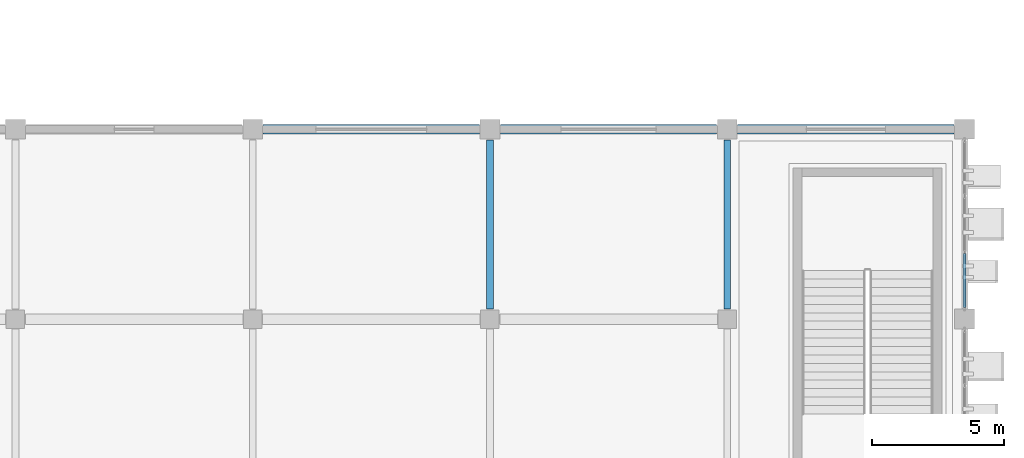
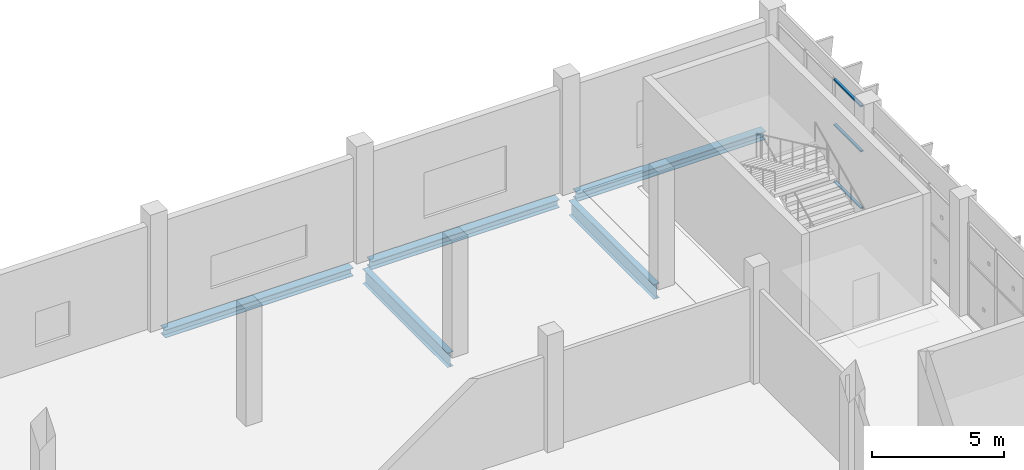
# One storey, part 66 of 189: 5 beams, 3 members, 1 element without a shape of its own.
"""IFC4 building model written with IfcOpenShell, lengths in metres."""

import ifcopenshell
import ifcopenshell.guid

model = None  # the IFC model being written
_history = None  # IfcOwnerHistory: only IFC2X3 demands one
_inside = {}  # id of a spatial element -> (the spatial element, [elements in it])
_under = {}  # id of a project, library or spatial element -> (it, [spatial elements below it])
_declared = {}  # id of a project -> (the project, [libraries it declares])
_typed = {}  # id of a type object -> (the type object, [elements of that type])
_made_of = {}  # id of a material, layer set ... -> (it, [elements and type objects made of it])


def new_model(schema):
    """Start an empty IFC model of exactly this schema.

    Asked for "IFC4X3", IfcOpenShell would pick the latest addendum, in which some entities
    have other attributes; the version numbers below select the first issue.
    IFC2X3 requires an IfcOwnerHistory on every rooted entity: one is made here for all.
    """
    global model, _history
    if schema == "IFC4X3":
        model = ifcopenshell.file(schema_version=(4, 3, 0, 0))
    else:
        model = ifcopenshell.file(schema=schema)
    _inside.clear()
    _under.clear()
    _declared.clear()
    _typed.clear()
    _made_of.clear()
    _history = None
    if model.schema == "IFC2X3":
        org = make("IfcOrganization", Name="unknown")
        user = make(
            "IfcPersonAndOrganization",
            ThePerson=make("IfcPerson", FamilyName="unknown"),
            TheOrganization=org,
        )
        app = make(
            "IfcApplication",
            ApplicationDeveloper=org,
            Version="unknown",
            ApplicationFullName="unknown",
            ApplicationIdentifier="unknown",
        )
        _history = make(
            "IfcOwnerHistory",
            OwningUser=user,
            OwningApplication=app,
            ChangeAction="ADDED",
            CreationDate=0,
        )
    return model


def make(cls, **values):
    """One entity of the class cls with the attributes given. An attribute that is None is left unset."""
    return model.create_entity(
        cls, **{name: value for name, value in values.items() if value is not None}
    )


def rooted(cls, **values):
    """An entity with a GlobalId (a new one), such as an element, a storey or a relation."""
    return make(cls, GlobalId=ifcopenshell.guid.new(), OwnerHistory=_history, **values)


def si_unit(unit_type, name, prefix=None):
    """IfcSIUnit, for example si_unit("LENGTHUNIT", "METRE", prefix="MILLI")."""
    return make("IfcSIUnit", UnitType=unit_type, Prefix=prefix, Name=name)


def assignment(units):
    """IfcUnitAssignment: the units of a project."""
    return None if units is None else make("IfcUnitAssignment", Units=units)


def point(xyz):
    """IfcCartesianPoint."""
    return None if xyz is None else make("IfcCartesianPoint", Coordinates=xyz)


def direction(xyz):
    """IfcDirection."""
    return None if xyz is None else make("IfcDirection", DirectionRatios=xyz)


def frame(location, z_axis=None, x_axis=None):
    """IfcAxis2Placement3D, a coordinate frame: its origin and axes. An axis left out is left unset."""
    return make(
        "IfcAxis2Placement3D",
        Location=point(location),
        Axis=direction(z_axis),
        RefDirection=direction(x_axis),
    )


def frame_2d(location, x_axis=None):
    """IfcAxis2Placement2D, a coordinate frame in the plane: its origin and x axis."""
    return make(
        "IfcAxis2Placement2D", Location=point(location), RefDirection=direction(x_axis)
    )


def origin():
    """The frame at (0, 0, 0) with its axes left unset."""
    return frame((0.0, 0.0, 0.0))


def origin_2d():
    """The frame at (0, 0) in the plane with its x axis left unset."""
    return frame_2d((0.0, 0.0))


def place(relative_to, where):
    """IfcLocalPlacement: puts the frame where relative to a parent placement (None: the world)."""
    return make(
        "IfcLocalPlacement", PlacementRelTo=relative_to, RelativePlacement=where
    )


def context(
    kind, dimensions, precision=None, world=None, true_north=None, identifier=None
):
    """IfcGeometricRepresentationContext, for example the 3D "Model" context."""
    return make(
        "IfcGeometricRepresentationContext",
        ContextIdentifier=identifier,
        ContextType=kind,
        CoordinateSpaceDimension=dimensions,
        Precision=precision,
        WorldCoordinateSystem=world,
        TrueNorth=true_north,
    )


def subcontext(parent, identifier, kind, view, scale=None):
    """IfcGeometricRepresentationSubContext, for example "Body" below "Model"."""
    return make(
        "IfcGeometricRepresentationSubContext",
        ContextIdentifier=identifier,
        ContextType=kind,
        ParentContext=parent,
        TargetScale=scale,
        TargetView=view,
    )


def project(units=None, contexts=None):
    """IfcProject with its units and contexts."""
    return rooted(
        "IfcProject",
        Name="project",
        RepresentationContexts=contexts,
        UnitsInContext=assignment(units),
    )


def spatial(cls, under=None, at=None, **own):
    """A site, building, storey or space (cls), placed at a placement, below another one or the project."""
    s = rooted(cls, ObjectPlacement=at, **own)
    if under is not None:
        _under.setdefault(under.id(), (under, []))[1].append(s)
    return s


def profile(cls, at=None, kind="AREA", **sizes):
    """A parametric profile (cls). Its sizes go by their IFC names, for example OverallWidth=200.0."""
    return make(cls, ProfileType=kind, Position=at, **sizes)


def hollow_rectangle(**sizes):
    """IfcRectangleHollowProfileDef."""
    return profile("IfcRectangleHollowProfileDef", **sizes)


def i_section(**sizes):
    """IfcIShapeProfileDef."""
    return profile("IfcIShapeProfileDef", **sizes)


def extrude(swept, where, along, depth):
    """IfcExtrudedAreaSolid: the profile swept, set in the frame where, extruded along a direction by depth."""
    return make(
        "IfcExtrudedAreaSolid",
        SweptArea=swept,
        Position=where,
        ExtrudedDirection=direction(along),
        Depth=depth,
    )


def shape(context_of_items, identifier, shape_type, items):
    """IfcShapeRepresentation: the items that make up one representation, for example the "Body"."""
    return make(
        "IfcShapeRepresentation",
        ContextOfItems=context_of_items,
        RepresentationIdentifier=identifier,
        RepresentationType=shape_type,
        Items=items,
    )


def material(Name=None, Category=None):
    """IfcMaterial."""
    return make("IfcMaterial", Name=Name, Category=Category)


def layer(
    of_material, thickness, ventilated=None, Name=None, Category=None, Priority=None
):
    """IfcMaterialLayer: one layer of a wall or slab, of a material (None: an air gap)."""
    return make(
        "IfcMaterialLayer",
        Material=of_material,
        LayerThickness=thickness,
        IsVentilated=ventilated,
        Name=Name,
        Category=Category,
        Priority=Priority,
    )


def layer_set(layers, Name=None):
    """IfcMaterialLayerSet."""
    return make("IfcMaterialLayerSet", MaterialLayers=layers, LayerSetName=Name)


def material_profile(
    of_material, cross_section, Name=None, Category=None, Priority=None
):
    """IfcMaterialProfile: a cross section and its material."""
    return make(
        "IfcMaterialProfile",
        Name=Name,
        Material=of_material,
        Profile=cross_section,
        Priority=Priority,
        Category=Category,
    )


def profile_set(profiles, Name=None, composite=None):
    """IfcMaterialProfileSet."""
    return make(
        "IfcMaterialProfileSet",
        Name=Name,
        MaterialProfiles=profiles,
        CompositeProfile=composite,
    )


def made_of(thing, what):
    """Note that an element or type object is made of a material, layer set ...; save() writes the relation."""
    if what is not None:
        _made_of.setdefault(what.id(), (what, []))[1].append(thing)
    return thing


def type_object(cls, material=None, **own):
    """A type object (cls), such as IfcWallType, which elements share."""
    return made_of(rooted(cls, **own), material)


def element(
    cls,
    number,
    at=None,
    inside=None,
    cuts=None,
    type_object=None,
    material=None,
    context=None,
    identifier="Body",
    shape_type=None,
    held_by="IfcProductDefinitionShape",
    body=None,
    shapes=None,
    **own,
):
    """One element of the class cls, such as IfcWall. Its Tag is "e" and its number.

    at: its placement. inside: the storey or other place that contains it. cuts: it is an
    opening in that element (IfcRelVoidsElement). A single representation is given by context,
    identifier, shape_type and body (its items); several are given by shapes. held_by: the class
    of the entity that holds the representations. save() writes the other relations.
    """
    e = rooted(cls, Tag="e%d" % number, ObjectPlacement=at, **own)
    if body is not None:
        shapes = [shape(context, identifier, shape_type, body)]
    if shapes is not None:
        e.Representation = make(held_by, Representations=shapes)
    if inside is not None:
        _inside.setdefault(inside.id(), (inside, []))[1].append(e)
    if cuts is not None:
        rooted(
            "IfcRelVoidsElement", RelatingBuildingElement=cuts, RelatedOpeningElement=e
        )
    if type_object is not None:
        _typed.setdefault(type_object.id(), (type_object, []))[1].append(e)
    return made_of(e, material)


def aggregate(whole, parts):
    """IfcRelAggregates: a whole, such as a stair, and the parts it consists of."""
    return rooted("IfcRelAggregates", RelatingObject=whole, RelatedObjects=parts)


def save(model, path):
    """Write the relations noted so far, then the file.

    IfcRelAggregates (storeys below a building ...), IfcRelContainedInSpatialStructure (elements
    in a storey), IfcRelDefinesByType, IfcRelAssociatesMaterial and IfcRelDeclares: one each for
    every whole, place, type object, material and project.
    """
    for whole, parts in _under.values():
        aggregate(whole, parts)
    for where, things in _inside.values():
        rooted(
            "IfcRelContainedInSpatialStructure",
            RelatedElements=things,
            RelatingStructure=where,
        )
    for kind, things in _typed.values():
        rooted("IfcRelDefinesByType", RelatedObjects=things, RelatingType=kind)
    for what, things in _made_of.values():
        rooted("IfcRelAssociatesMaterial", RelatedObjects=things, RelatingMaterial=what)
    for by, libraries in _declared.values():
        rooted("IfcRelDeclares", RelatingContext=by, RelatedDefinitions=libraries)
    model.write(path)


model = new_model("IFC4")

# Units and contexts
model_context = context("Model", 3, precision=1e-05, world=origin(), true_north=direction((0.0, 1.0)))
body_context = subcontext(model_context, "Body", "Model", "MODEL_VIEW")
ifc_project = project(units=[si_unit("LENGTHUNIT", "METRE"), si_unit("AREAUNIT", "SQUARE_METRE"), si_unit("VOLUMEUNIT", "CUBIC_METRE"), si_unit("PLANEANGLEUNIT", "RADIAN"), si_unit("MASSUNIT", "GRAM", prefix="KILO")], contexts=[model_context])

# Site, building, storey
site_placement = place(None, origin())
site = spatial("IfcSite", under=ifc_project, at=site_placement, CompositionType="ELEMENT")
building_placement = place(site_placement, origin())
building = spatial("IfcBuilding", under=site, at=building_placement, Name="Celestram Park Convention Centre", CompositionType="ELEMENT")
storey_placement = place(building_placement, frame((0.0, 0.0, 5.39990234375)))
storey = spatial("IfcBuildingStorey", under=building, at=storey_placement, Name="L01", CompositionType="ELEMENT", Elevation=5.39990234375)

# Curtain wall, members
ifc_material_1 = material(Name="Anodised Aluminium Alloy 6063-T6", Category="aluminium")
ifc_layer = layer(ifc_material_1, 0.179931640625)
ifc_layer_set = layer_set([ifc_layer], Name="Anodised Aluminium Alloy 6063-T6")
curtain_wall_type = type_object("IfcCurtainWallType", Name="ARC-CW-645X476", PredefinedType="NOTDEFINED", material=ifc_layer_set)
curtain_wall_placement = place(storey_placement, origin())
curtain_wall = element("IfcCurtainWall", 1, at=curtain_wall_placement, inside=storey, type_object=curtain_wall_type, Name="Unitised curtain wall CU-L01-101", PredefinedType="NOTDEFINED")
ifc_material_profile_1 = material_profile(ifc_material_1, hollow_rectangle(XDim=0.1201171875, YDim=0.06005859375, WallThickness=0.0029296875, at=origin_2d()), Name="ALU120X60X3")
ifc_profile_set_1 = profile_set([ifc_material_profile_1], Name="Anodised Aluminium Alloy 6063-T6")
member_type = type_object("IfcMemberType", Name="ARC-CWT-120", PredefinedType="USERDEFINED", material=ifc_profile_set_1)
member_1_placement = place(storey_placement, frame((216.0, 31.291748046875, 0.030029296875), z_axis=(0.0, -1.0, 0.0), x_axis=(1.0, 0.0, 0.0)))
member_1 = element("IfcMember", 2, at=member_1_placement, type_object=member_type, Name="CW-64X47 transom 3.1", ObjectType="TRANSOM", PredefinedType="USERDEFINED", context=body_context, shape_type="SweptSolid", body=[
    extrude(hollow_rectangle(XDim=0.1201171875, YDim=0.06005859375, WallThickness=0.0029296875, at=origin_2d()), origin(), (0.0, 0.0, 1.0), 2.0537109375),
])
member_2_placement = place(storey_placement, frame((216.0, 31.291748046875, 2.650146484375), z_axis=(0.0, -1.0, 0.0), x_axis=(1.0, 0.0, 0.0)))
member_2 = element("IfcMember", 3, at=member_2_placement, type_object=member_type, Name="CW-64X47 transom 3.2", ObjectType="TRANSOM", PredefinedType="USERDEFINED", context=body_context, shape_type="SweptSolid", body=[
    extrude(hollow_rectangle(XDim=0.1201171875, YDim=0.06005859375, WallThickness=0.0029296875, at=origin_2d()), origin(), (0.0, 0.0, 1.0), 2.0537109375),
])
member_3_placement = place(storey_placement, frame((216.0, 31.291748046875, 4.734130859375), z_axis=(0.0, -1.0, 0.0), x_axis=(1.0, 0.0, 0.0)))
member_3 = element("IfcMember", 4, at=member_3_placement, type_object=member_type, Name="CW-64X47 transom 3.3", ObjectType="TRANSOM", PredefinedType="USERDEFINED", context=body_context, shape_type="SweptSolid", body=[
    extrude(hollow_rectangle(XDim=0.1201171875, YDim=0.06005859375, WallThickness=0.0029296875, at=origin_2d()), origin(), (0.0, 0.0, 1.0), 2.0537109375),
])
aggregate(curtain_wall, [member_1, member_2, member_3])

# Beams
ifc_material_2 = material(Name="Steel ASTM A992 Grade 50", Category="steel")
ifc_material_profile_2 = material_profile(ifc_material_2, i_section(OverallWidth=0.25390625, OverallDepth=0.68310546875, WebThickness=0.012451171875, FlangeThickness=0.01904296875, at=origin_2d()), Name="W27X94")
ifc_profile_set_2 = profile_set([ifc_material_profile_2], Name="Steel ASTM A992 Grade 50")
beam_type_1 = type_object("IfcBeamType", Name="STR-BM-W27X94", PredefinedType="BEAM", material=ifc_profile_set_2)
for number, where, z_axis, x_axis, name in (
    (5, (198.0, 29.173095703125, -0.621337890625), (0.0, 1.0, 0.0), (-1.0, 0.0, 0.0), "Primary Y-girder BG-L01-0495"),
    (6, (207.0, 29.173095703125, -0.621337890625), (0.0, 1.0, 0.0), (-1.0, 0.0, 0.0), "Primary Y-girder BG-L01-0519"),
):
    element("IfcBeam", number, at=place(storey_placement, frame(where, z_axis=z_axis, x_axis=x_axis)), inside=storey, type_object=beam_type_1, Name=name, PredefinedType="BEAM", context=body_context, shape_type="SweptSolid", body=[
        extrude(i_section(OverallWidth=0.25390625, OverallDepth=0.68310546875, WebThickness=0.012451171875, FlangeThickness=0.01904296875, at=origin_2d()), origin(), (0.0, 0.0, 1.0), 6.428955078125),
    ])
ifc_material_profile_3 = material_profile(ifc_material_2, i_section(OverallWidth=0.373046875, OverallDepth=0.373046875, WebThickness=0.016357421875, FlangeThickness=0.026123046875, at=origin_2d()), Name="W14X132")
ifc_profile_set_3 = profile_set([ifc_material_profile_3], Name="Steel ASTM A992 Grade 50")
beam_type_2 = type_object("IfcBeamType", Name="STR-SPN-W14X132", PredefinedType="SPANDREL", material=ifc_profile_set_3)
for number, where, z_axis, x_axis, name in (
    (7, (189.39794921875, 36.0, -0.46630859375), (1.0, 0.0, 0.0), (0.0, 1.0, 0.0), "Primary X-girder BG-L01-0470"),
    (8, (198.39794921875, 36.0, -0.46630859375), (1.0, 0.0, 0.0), (0.0, 1.0, 0.0), "Primary X-girder BG-L01-0496"),
    (9, (207.39794921875, 36.0, -0.46630859375), (1.0, 0.0, 0.0), (0.0, 1.0, 0.0), "Primary X-girder BG-L01-0520"),
):
    element("IfcBeam", number, at=place(storey_placement, frame(where, z_axis=z_axis, x_axis=x_axis)), inside=storey, type_object=beam_type_2, Name=name, PredefinedType="SPANDREL", context=body_context, shape_type="SweptSolid", body=[
        extrude(i_section(OverallWidth=0.373046875, OverallDepth=0.373046875, WebThickness=0.016357421875, FlangeThickness=0.026123046875, at=origin_2d()), origin(), (0.0, 0.0, 1.0), 8.2041015625),
    ])

save(model, "model.ifc")
